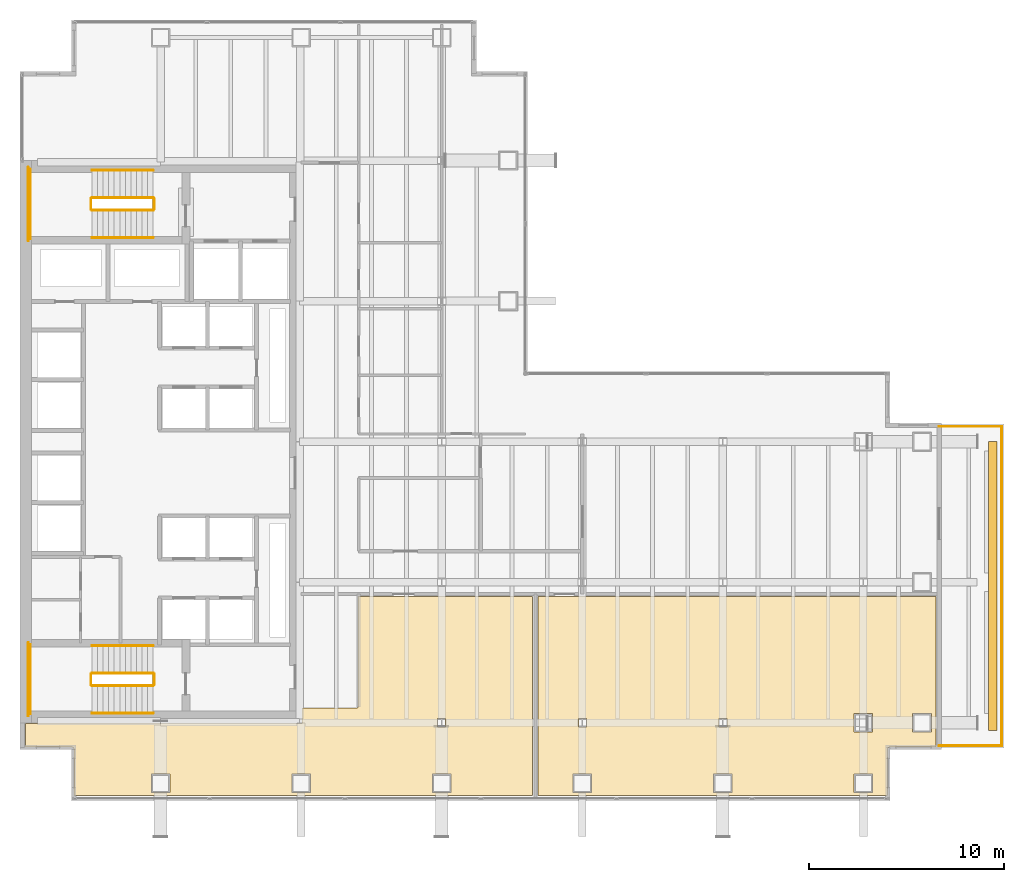
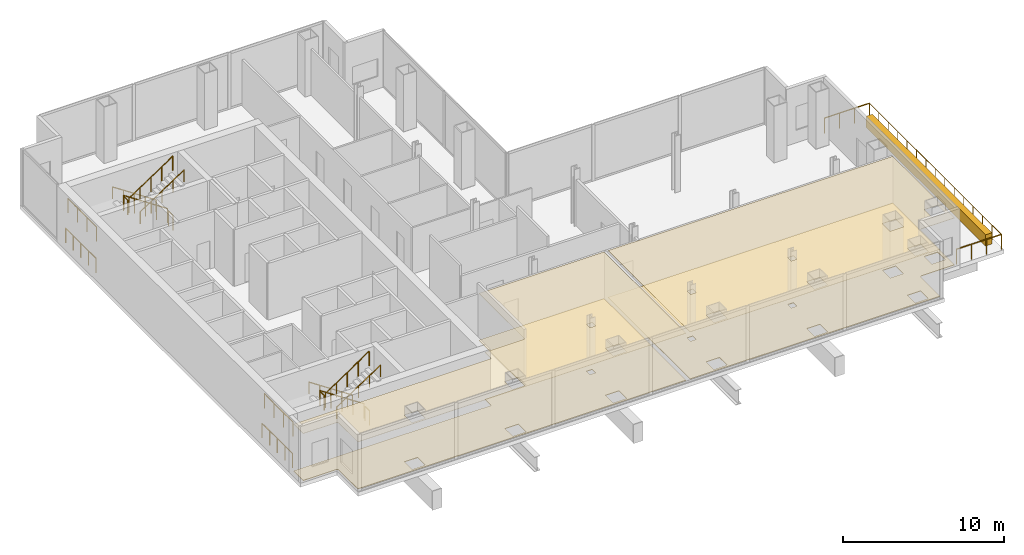
# One storey, part 16 of 16: 19 railings, 5 coverings.
"""IFC4 building model written with IfcOpenShell, lengths in metres."""

from ifc_helpers import new_model, si_unit, direction, frame, origin, origin_2d, place, context, subcontext, project, spatial, polyline, circle, outline, extrude, material, layer, layer_set, type_object, element, save


model = new_model("IFC4")

# Units and contexts
model_context = context("Model", 3, precision=1e-05, world=origin(), true_north=direction((0.0, 1.0)))
body_context = subcontext(model_context, "Body", "Model", "MODEL_VIEW")
ifc_project = project(units=[si_unit("LENGTHUNIT", "METRE"), si_unit("AREAUNIT", "SQUARE_METRE"), si_unit("VOLUMEUNIT", "CUBIC_METRE"), si_unit("PLANEANGLEUNIT", "RADIAN"), si_unit("MASSUNIT", "GRAM", prefix="KILO")], contexts=[model_context])

# Site, building, storey
site_placement = place(None, origin())
site = spatial("IfcSite", under=ifc_project, at=site_placement, CompositionType="ELEMENT")
building_placement = place(site_placement, origin())
building = spatial("IfcBuilding", under=site, at=building_placement, Name="Cobrela Telecom Tower", CompositionType="ELEMENT")
storey_placement = place(building_placement, frame((0.0, 0.0, 97.64990234375)))
storey = spatial("IfcBuildingStorey", under=building, at=storey_placement, Name="L24", CompositionType="ELEMENT", Elevation=97.64990234375)

# Coverings
ifc_material_1 = material(Name="Mineral Fibre Acoustic Ceiling Tile")
ifc_layer_1 = layer(ifc_material_1, 0.02490234375)
ifc_layer_set_1 = layer_set([ifc_layer_1], Name="Mineral Fibre Acoustic Ceiling Tile")
covering_type_1 = type_object("IfcCoveringType", Name="COV-CEIL-ACT", PredefinedType="CEILING", material=ifc_layer_set_1)
covering_1_placement = place(storey_placement, frame((0.0, 0.0, 3.56005859375)))
element("IfcCovering", 1, at=covering_1_placement, inside=storey, type_object=covering_type_1, Name="L24 Client Hospitality Office Suspended Acoustic Ceiling", PredefinedType="CEILING", context=body_context, shape_type="SweptSolid", body=[
    extrude(outline(polyline([(46.909912109375, 5.969970703125), (44.569091796875, 5.969970703125), (44.556396484375, 5.969482421875), (44.542724609375, 5.96728515625), (44.529296875, 5.964111328125), (44.516357421875, 5.95947265625), (44.50390625, 5.95361328125), (44.4921875, 5.9462890625), (44.481201171875, 5.938232421875), (44.470947265625, 5.928955078125), (44.461669921875, 5.918701171875), (44.45361328125, 5.907958984375), (44.446533203125, 5.89599609375), (44.440673828125, 5.883544921875), (44.43603515625, 5.87060546875), (44.4326171875, 5.857421875), (44.4306640625, 5.84375), (44.429931640625, 5.8310546875), (44.429931640625, 3.489990234375), (26.5400390625, 3.489990234375), (26.5400390625, 13.659912109375), (46.909912109375, 13.659912109375), (46.909912109375, 5.969970703125)]), holes=[polyline([(29.00439453125, 6.988037109375), (29.00439453125, 7.412109375), (28.595458984375, 7.412109375), (28.595458984375, 6.988037109375), (29.00439453125, 6.988037109375)]), polyline([(29.27490234375, 4.574951171875), (28.324951171875, 4.574951171875), (28.324951171875, 3.625), (29.27490234375, 3.625), (29.27490234375, 4.574951171875)]), polyline([(36.47509765625, 3.625), (36.47509765625, 4.574951171875), (35.52490234375, 4.574951171875), (35.52490234375, 3.625), (36.47509765625, 3.625)]), polyline([(43.675048828125, 3.625), (43.675048828125, 4.574951171875), (42.72509765625, 4.574951171875), (42.72509765625, 3.625), (43.675048828125, 3.625)]), polyline([(36.20458984375, 6.988037109375), (36.20458984375, 7.412109375), (35.79541015625, 7.412109375), (35.79541015625, 6.988037109375), (36.20458984375, 6.988037109375)]), polyline([(43.675048828125, 6.72509765625), (43.675048828125, 7.675048828125), (42.72509765625, 7.675048828125), (42.72509765625, 6.72509765625), (43.675048828125, 6.72509765625)]), polyline([(46.675048828125, 6.72509765625), (46.675048828125, 7.675048828125), (45.72509765625, 7.675048828125), (45.72509765625, 6.72509765625), (46.675048828125, 6.72509765625)])]), origin(), (0.0, 0.0, 1.0), 0.025146484375),
])
covering_2_placement = place(storey_placement, frame((0.0, 0.0, 3.56005859375)))
element("IfcCovering", 2, at=covering_2_placement, inside=storey, type_object=covering_type_1, Name="L24 NOC Briefing Room Suspended Acoustic Ceiling", PredefinedType="CEILING", context=body_context, shape_type="SweptSolid", body=[
    extrude(outline(polyline([(2.77001953125, 5.8310546875), (2.769287109375, 5.84375), (2.767333984375, 5.857421875), (2.763916015625, 5.87060546875), (2.759521484375, 5.883544921875), (2.75341796875, 5.89599609375), (2.746337890625, 5.907958984375), (2.73828125, 5.918701171875), (2.72900390625, 5.928955078125), (2.71875, 5.938232421875), (2.7080078125, 5.9462890625), (2.696044921875, 5.95361328125), (2.68359375, 5.95947265625), (2.670654296875, 5.964111328125), (2.6572265625, 5.96728515625), (2.643798828125, 5.969482421875), (2.631103515625, 5.969970703125), (0.2900390625, 5.969970703125), (0.2900390625, 7.159912109375), (14.43994140625, 7.159912109375), (14.43994140625, 7.950927734375), (14.445068359375, 7.949951171875), (17.2548828125, 7.949951171875), (17.26025390625, 7.951171875), (17.265380859375, 7.9521484375), (17.27001953125, 7.9541015625), (17.272705078125, 7.955322265625), (17.278564453125, 7.958740234375), (17.28125, 7.961181640625), (17.28564453125, 7.96435546875), (17.288818359375, 7.96875), (17.291259765625, 7.971435546875), (17.294677734375, 7.977294921875), (17.2978515625, 7.984619140625), (17.298828125, 7.98974609375), (17.300048828125, 7.9951171875), (17.300048828125, 13.659912109375), (26.260009765625, 13.659912109375), (26.260009765625, 3.489990234375), (2.77001953125, 3.489990234375), (2.77001953125, 5.8310546875)]), holes=[polyline([(7.675048828125, 4.574951171875), (6.72509765625, 4.574951171875), (6.72509765625, 3.625), (7.675048828125, 3.625), (7.675048828125, 4.574951171875)]), polyline([(14.875, 3.625), (14.875, 4.574951171875), (13.925048828125, 4.574951171875), (13.925048828125, 3.625), (14.875, 3.625)]), polyline([(22.074951171875, 3.625), (22.074951171875, 4.574951171875), (21.125, 4.574951171875), (21.125, 3.625), (22.074951171875, 3.625)]), polyline([(21.804443359375, 6.988037109375), (21.804443359375, 7.412109375), (21.3955078125, 7.412109375), (21.3955078125, 6.988037109375), (21.804443359375, 6.988037109375)])]), origin(), (0.0, 0.0, 1.0), 0.025146484375),
])
ifc_material_2 = material(Name="Honed Colombian Basalt Stone", Category="masonry")
ifc_layer_2 = layer(ifc_material_2, 0.0400390625)
ifc_layer_set_2 = layer_set([ifc_layer_2], Name="Honed Colombian Basalt Stone")
covering_type_2 = type_object("IfcCoveringType", Name="COV-FLR-STONE", PredefinedType="FLOORING", material=ifc_layer_set_2)
covering_3_placement = place(storey_placement, origin())
element("IfcCovering", 3, at=covering_3_placement, inside=storey, type_object=covering_type_2, Name="L24 Client Hospitality Office Raised Technical Flooring", PredefinedType="FLOORING", context=body_context, shape_type="SweptSolid", body=[
    extrude(outline(polyline([(46.909912109375, 5.969970703125), (44.569091796875, 5.969970703125), (44.556396484375, 5.969482421875), (44.542724609375, 5.96728515625), (44.529296875, 5.964111328125), (44.516357421875, 5.95947265625), (44.50390625, 5.95361328125), (44.4921875, 5.9462890625), (44.481201171875, 5.938232421875), (44.470947265625, 5.928955078125), (44.461669921875, 5.918701171875), (44.45361328125, 5.907958984375), (44.446533203125, 5.89599609375), (44.440673828125, 5.883544921875), (44.43603515625, 5.87060546875), (44.4326171875, 5.857421875), (44.4306640625, 5.84375), (44.429931640625, 5.8310546875), (44.429931640625, 3.489990234375), (26.5400390625, 3.489990234375), (26.5400390625, 13.659912109375), (46.909912109375, 13.659912109375), (46.909912109375, 5.969970703125)]), holes=[polyline([(29.00439453125, 6.988037109375), (29.00439453125, 7.412109375), (28.595458984375, 7.412109375), (28.595458984375, 6.988037109375), (29.00439453125, 6.988037109375)]), polyline([(29.27490234375, 4.574951171875), (28.324951171875, 4.574951171875), (28.324951171875, 3.625), (29.27490234375, 3.625), (29.27490234375, 4.574951171875)]), polyline([(36.47509765625, 3.625), (36.47509765625, 4.574951171875), (35.52490234375, 4.574951171875), (35.52490234375, 3.625), (36.47509765625, 3.625)]), polyline([(43.675048828125, 3.625), (43.675048828125, 4.574951171875), (42.72509765625, 4.574951171875), (42.72509765625, 3.625), (43.675048828125, 3.625)]), polyline([(36.20458984375, 6.988037109375), (36.20458984375, 7.412109375), (35.79541015625, 7.412109375), (35.79541015625, 6.988037109375), (36.20458984375, 6.988037109375)]), polyline([(43.675048828125, 6.72509765625), (43.675048828125, 7.675048828125), (42.72509765625, 7.675048828125), (42.72509765625, 6.72509765625), (43.675048828125, 6.72509765625)]), polyline([(46.675048828125, 6.72509765625), (46.675048828125, 7.675048828125), (45.72509765625, 7.675048828125), (45.72509765625, 6.72509765625), (46.675048828125, 6.72509765625)])]), origin(), (0.0, 0.0, 1.0), 0.0400390625),
])
covering_4_placement = place(storey_placement, origin())
element("IfcCovering", 4, at=covering_4_placement, inside=storey, type_object=covering_type_2, Name="L24 NOC Briefing Room Raised Technical Flooring", PredefinedType="FLOORING", context=body_context, shape_type="SweptSolid", body=[
    extrude(outline(polyline([(2.77001953125, 5.8310546875), (2.769287109375, 5.84375), (2.767333984375, 5.857421875), (2.763916015625, 5.87060546875), (2.759521484375, 5.883544921875), (2.75341796875, 5.89599609375), (2.746337890625, 5.907958984375), (2.73828125, 5.918701171875), (2.72900390625, 5.928955078125), (2.71875, 5.938232421875), (2.7080078125, 5.9462890625), (2.696044921875, 5.95361328125), (2.68359375, 5.95947265625), (2.670654296875, 5.964111328125), (2.6572265625, 5.96728515625), (2.643798828125, 5.969482421875), (2.631103515625, 5.969970703125), (0.2900390625, 5.969970703125), (0.2900390625, 7.159912109375), (14.43994140625, 7.159912109375), (14.43994140625, 7.950927734375), (14.445068359375, 7.949951171875), (17.2548828125, 7.949951171875), (17.26025390625, 7.951171875), (17.265380859375, 7.9521484375), (17.27001953125, 7.9541015625), (17.272705078125, 7.955322265625), (17.278564453125, 7.958740234375), (17.28125, 7.961181640625), (17.28564453125, 7.96435546875), (17.288818359375, 7.96875), (17.291259765625, 7.971435546875), (17.294677734375, 7.977294921875), (17.2978515625, 7.984619140625), (17.298828125, 7.98974609375), (17.300048828125, 7.9951171875), (17.300048828125, 13.659912109375), (26.260009765625, 13.659912109375), (26.260009765625, 3.489990234375), (2.77001953125, 3.489990234375), (2.77001953125, 5.8310546875)]), holes=[polyline([(7.675048828125, 4.574951171875), (6.72509765625, 4.574951171875), (6.72509765625, 3.625), (7.675048828125, 3.625), (7.675048828125, 4.574951171875)]), polyline([(14.875, 3.625), (14.875, 4.574951171875), (13.925048828125, 4.574951171875), (13.925048828125, 3.625), (14.875, 3.625)]), polyline([(22.074951171875, 3.625), (22.074951171875, 4.574951171875), (21.125, 4.574951171875), (21.125, 3.625), (22.074951171875, 3.625)]), polyline([(21.804443359375, 6.988037109375), (21.804443359375, 7.412109375), (21.3955078125, 7.412109375), (21.3955078125, 6.988037109375), (21.804443359375, 6.988037109375)])]), origin(), (0.0, 0.0, 1.0), 0.0400390625),
])
ifc_material_3 = material(Name="Planted Vegetated Landscape Soil and Foliage System")
ifc_layer_3 = layer(ifc_material_3, 0.85009765625)
ifc_layer_set_3 = layer_set([ifc_layer_3], Name="Planted Vegetated Landscape Soil and Foliage System")
covering_type_3 = type_object("IfcCoveringType", Name="PLANTER-BED-850", PredefinedType="USERDEFINED", material=ifc_layer_set_3)
covering_5_placement = place(storey_placement, origin())
element("IfcCovering", 5, at=covering_5_placement, inside=storey, type_object=covering_type_3, Name="L24 Sky Garden Planted Parapet Bed SG24-E", ObjectType="PLANTER", PredefinedType="USERDEFINED", context=body_context, shape_type="SweptSolid", body=[
    extrude(outline(polyline([(49.60009765625, 6.800048828125), (50.050048828125, 6.800048828125), (50.050048828125, 21.60009765625), (49.60009765625, 21.60009765625), (49.60009765625, 6.800048828125)])), origin(), (0.0, 0.0, 1.0), 0.85009765625),
])

# Railings
ifc_material_4 = material(Name="Anodized Bronze Aluminium 6063-T6", Category="aluminium")
railing_type_1 = type_object("IfcRailingType", Name="RAIL-BAL-1150", PredefinedType="BALUSTRADE", material=ifc_material_4)
railing_1_placement = place(storey_placement, frame((47.080078125, 6.02001953125, 0.0)))
element("IfcRailing", 6, at=railing_1_placement, inside=storey, type_object=railing_type_1, Name="L24 Outdoor Terrace Perimeter Balustrade Z2-S", PredefinedType="BALUSTRADE", context=body_context, shape_type="SweptSolid", body=[
    extrude(circle(Radius=0.02392578125, at=origin_2d()), frame((0.0, 0.0, 1.1259765625), z_axis=(1.0, 0.0, 0.0), x_axis=(0.0, 1.0, 0.0)), (0.0, 0.0, 1.0), 3.199951171875),
    extrude(circle(Radius=0.02099609375, at=origin_2d()), origin(), (0.0, 0.0, 1.0), 1.101806640625),
    extrude(circle(Radius=0.02099609375, at=origin_2d()), frame((1.066650390625, 0.0, 0.0)), (0.0, 0.0, 1.0), 1.101806640625),
    extrude(circle(Radius=0.02099609375, at=origin_2d()), frame((2.13330078125, 0.0, 0.0)), (0.0, 0.0, 1.0), 1.101806640625),
    extrude(circle(Radius=0.02099609375, at=origin_2d()), frame((3.199951171875, 0.0, 0.0)), (0.0, 0.0, 1.0), 1.101806640625),
])
railing_2_placement = place(storey_placement, frame((50.280029296875, 6.02001953125, 0.0)))
element("IfcRailing", 7, at=railing_2_placement, inside=storey, type_object=railing_type_1, Name="L24 Outdoor Terrace Perimeter Balustrade Z2-E", PredefinedType="BALUSTRADE", context=body_context, shape_type="SweptSolid", body=[
    extrude(circle(Radius=0.02392578125, at=origin_2d()), frame((0.0, 0.0, 1.1259765625), z_axis=(0.0, 1.0, 0.0), x_axis=(-1.0, 0.0, 0.0)), (0.0, 0.0, 1.0), 16.35986328125),
    extrude(circle(Radius=0.02099609375, at=origin_2d()), origin(), (0.0, 0.0, 1.0), 1.101806640625),
    extrude(circle(Radius=0.02099609375, at=origin_2d()), frame((0.0, 1.16845703125, 0.0)), (0.0, 0.0, 1.0), 1.101806640625),
    extrude(circle(Radius=0.02099609375, at=origin_2d()), frame((0.0, 2.337158203125, 0.0)), (0.0, 0.0, 1.0), 1.101806640625),
    extrude(circle(Radius=0.02099609375, at=origin_2d()), frame((0.0, 3.505615234375, 0.0)), (0.0, 0.0, 1.0), 1.101806640625),
    extrude(circle(Radius=0.02099609375, at=origin_2d()), frame((0.0, 4.67431640625, 0.0)), (0.0, 0.0, 1.0), 1.101806640625),
    extrude(circle(Radius=0.02099609375, at=origin_2d()), frame((0.0, 5.8427734375, 0.0)), (0.0, 0.0, 1.0), 1.101806640625),
    extrude(circle(Radius=0.02099609375, at=origin_2d()), frame((0.0, 7.011474609375, 0.0)), (0.0, 0.0, 1.0), 1.101806640625),
    extrude(circle(Radius=0.02099609375, at=origin_2d()), frame((0.0, 8.179931640625, 0.0)), (0.0, 0.0, 1.0), 1.101806640625),
    extrude(circle(Radius=0.02099609375, at=origin_2d()), frame((0.0, 9.348388671875, 0.0)), (0.0, 0.0, 1.0), 1.101806640625),
    extrude(circle(Radius=0.02099609375, at=origin_2d()), frame((0.0, 10.51708984375, 0.0)), (0.0, 0.0, 1.0), 1.101806640625),
    extrude(circle(Radius=0.02099609375, at=origin_2d()), frame((0.0, 11.685546875, 0.0)), (0.0, 0.0, 1.0), 1.101806640625),
    extrude(circle(Radius=0.02099609375, at=origin_2d()), frame((0.0, 12.854248046875, 0.0)), (0.0, 0.0, 1.0), 1.101806640625),
    extrude(circle(Radius=0.02099609375, at=origin_2d()), frame((0.0, 14.022705078125, 0.0)), (0.0, 0.0, 1.0), 1.101806640625),
    extrude(circle(Radius=0.02099609375, at=origin_2d()), frame((0.0, 15.19140625, 0.0)), (0.0, 0.0, 1.0), 1.101806640625),
    extrude(circle(Radius=0.02099609375, at=origin_2d()), frame((0.0, 16.35986328125, 0.0)), (0.0, 0.0, 1.0), 1.101806640625),
])
railing_3_placement = place(storey_placement, frame((50.280029296875, 22.3798828125, 0.0)))
element("IfcRailing", 8, at=railing_3_placement, inside=storey, type_object=railing_type_1, Name="L24 Outdoor Terrace Perimeter Balustrade Z2-N", PredefinedType="BALUSTRADE", context=body_context, shape_type="SweptSolid", body=[
    extrude(circle(Radius=0.02392578125, at=origin_2d()), frame((0.0, 0.0, 1.1259765625), z_axis=(-1.0, 0.0, 0.0), x_axis=(0.0, -1.0, 0.0)), (0.0, 0.0, 1.0), 3.199951171875),
    extrude(circle(Radius=0.02099609375, at=origin_2d()), origin(), (0.0, 0.0, 1.0), 1.101806640625),
    extrude(circle(Radius=0.02099609375, at=origin_2d()), frame((-1.066650390625, 0.0, 0.0)), (0.0, 0.0, 1.0), 1.101806640625),
    extrude(circle(Radius=0.02099609375, at=origin_2d()), frame((-2.13330078125, 0.0, 0.0)), (0.0, 0.0, 1.0), 1.101806640625),
    extrude(circle(Radius=0.02099609375, at=origin_2d()), frame((-3.199951171875, 0.0, 0.0)), (0.0, 0.0, 1.0), 1.101806640625),
])
ifc_material_5 = material(Name="Steel ASTM A36", Category="steel")
railing_type_2 = type_object("IfcRailingType", Name="RAIL-GUARD-1100", PredefinedType="GUARDRAIL", material=ifc_material_5)
railing_4_placement = place(storey_placement, frame((6.820068359375, 34.10009765625, 0.189697265625)))
element("IfcRailing", 9, at=railing_4_placement, inside=storey, type_object=railing_type_2, Name="L24 ST1 stair guard 1", PredefinedType="GUARDRAIL", context=body_context, shape_type="SweptSolid", body=[
    extrude(circle(Radius=0.02392578125, at=origin_2d()), frame((0.0, 0.0, 1.076171875), z_axis=(-0.832608492644, 0.0, 0.553861984593), x_axis=(0.0, -1.0, 0.0)), (0.0, 0.0, 1.0), 3.765380859375),
    extrude(circle(Radius=0.02099609375, at=origin_2d()), origin(), (0.0, 0.0, 1.0), 1.052001953125),
    extrude(circle(Radius=0.02099609375, at=origin_2d()), frame((-0.78369140625, 0.0, 0.521484375)), (0.0, 0.0, 1.0), 1.052001953125),
    extrude(circle(Radius=0.02099609375, at=origin_2d()), frame((-1.5673828125, 0.0, 1.042724609375)), (0.0, 0.0, 1.0), 1.052001953125),
    extrude(circle(Radius=0.02099609375, at=origin_2d()), frame((-2.351318359375, 0.0, 1.56396484375)), (0.0, 0.0, 1.0), 1.052001953125),
    extrude(circle(Radius=0.02099609375, at=origin_2d()), frame((-3.135009765625, 0.0, 2.08544921875)), (0.0, 0.0, 1.0), 1.052001953125),
])
railing_5_placement = place(storey_placement, frame((3.635009765625, 34.050048828125, 2.275146484375)))
element("IfcRailing", 10, at=railing_5_placement, inside=storey, type_object=railing_type_2, Name="L24 ST1 stair guard 2", PredefinedType="GUARDRAIL", context=body_context, shape_type="SweptSolid", body=[
    extrude(circle(Radius=0.02392578125, at=origin_2d()), frame((0.0, 0.0, 1.076171875), z_axis=(0.0, -1.0, 0.0), x_axis=(1.0, 0.0, 0.0)), (0.0, 0.0, 1.0), 0.550048828125),
    extrude(circle(Radius=0.02099609375, at=origin_2d()), origin(), (0.0, 0.0, 1.0), 1.052001953125),
    extrude(circle(Radius=0.02099609375, at=origin_2d()), frame((0.0, -0.550048828125, 0.0)), (0.0, 0.0, 1.0), 1.052001953125),
])
railing_6_placement = place(storey_placement, frame((0.530029296875, 35.550048828125, 2.275146484375)))
element("IfcRailing", 11, at=railing_6_placement, inside=storey, type_object=railing_type_2, Name="L24 ST1 stair guard 3", PredefinedType="GUARDRAIL", context=body_context, shape_type="SweptSolid", body=[
    extrude(circle(Radius=0.02392578125, at=origin_2d()), frame((0.0, 0.0, 1.076171875), z_axis=(0.0, -1.0, 0.0), x_axis=(1.0, 0.0, 0.0)), (0.0, 0.0, 1.0), 3.550048828125),
    extrude(circle(Radius=0.02099609375, at=origin_2d()), origin(), (0.0, 0.0, 1.0), 1.052001953125),
    extrude(circle(Radius=0.02099609375, at=origin_2d()), frame((0.0, -1.183349609375, 0.0)), (0.0, 0.0, 1.0), 1.052001953125),
    extrude(circle(Radius=0.02099609375, at=origin_2d()), frame((0.0, -2.36669921875, 0.0)), (0.0, 0.0, 1.0), 1.052001953125),
    extrude(circle(Radius=0.02099609375, at=origin_2d()), frame((0.0, -3.550048828125, 0.0)), (0.0, 0.0, 1.0), 1.052001953125),
])
railing_7_placement = place(storey_placement, frame((3.68505859375, 33.449951171875, 2.464599609375)))
element("IfcRailing", 12, at=railing_7_placement, inside=storey, type_object=railing_type_2, Name="L24 ST1 stair guard 4", PredefinedType="GUARDRAIL", context=body_context, shape_type="SweptSolid", body=[
    extrude(circle(Radius=0.02392578125, at=origin_2d()), frame((0.0, 0.0, 1.076171875), z_axis=(0.832608492644, 0.0, 0.553861984593), x_axis=(0.0, 1.0, 0.0)), (0.0, 0.0, 1.0), 3.765380859375),
    extrude(circle(Radius=0.02099609375, at=origin_2d()), origin(), (0.0, 0.0, 1.0), 1.052001953125),
    extrude(circle(Radius=0.02099609375, at=origin_2d()), frame((0.78369140625, 0.0, 0.521484375)), (0.0, 0.0, 1.0), 1.052001953125),
    extrude(circle(Radius=0.02099609375, at=origin_2d()), frame((1.5673828125, 0.0, 1.042724609375)), (0.0, 0.0, 1.0), 1.052001953125),
    extrude(circle(Radius=0.02099609375, at=origin_2d()), frame((2.351318359375, 0.0, 1.56396484375)), (0.0, 0.0, 1.0), 1.052001953125),
    extrude(circle(Radius=0.02099609375, at=origin_2d()), frame((3.135009765625, 0.0, 2.08544921875)), (0.0, 0.0, 1.0), 1.052001953125),
])
railing_8_placement = place(storey_placement, frame((6.8701171875, 34.050048828125, 0.0)))
element("IfcRailing", 13, at=railing_8_placement, inside=storey, type_object=railing_type_2, Name="L24 ST1 stair guard 5", PredefinedType="GUARDRAIL", context=body_context, shape_type="SweptSolid", body=[
    extrude(circle(Radius=0.02392578125, at=origin_2d()), frame((0.0, 0.0, 1.076171875), z_axis=(0.0, -1.0, 0.0), x_axis=(1.0, 0.0, 0.0)), (0.0, 0.0, 1.0), 0.550048828125),
    extrude(circle(Radius=0.02099609375, at=origin_2d()), origin(), (0.0, 0.0, 1.0), 1.052001953125),
    extrude(circle(Radius=0.02099609375, at=origin_2d()), frame((0.0, -0.550048828125, 0.0)), (0.0, 0.0, 1.0), 1.052001953125),
])
railing_9_placement = place(storey_placement, frame((0.429931640625, 35.64990234375, 0.0)))
element("IfcRailing", 14, at=railing_9_placement, inside=storey, type_object=railing_type_2, Name="L24 ST1 stair guard 6", PredefinedType="GUARDRAIL", context=body_context, shape_type="SweptSolid", body=[
    extrude(circle(Radius=0.02392578125, at=origin_2d()), frame((0.0, 0.0, 1.076171875), z_axis=(0.0, -1.0, 0.0), x_axis=(1.0, 0.0, 0.0)), (0.0, 0.0, 1.0), 3.75),
    extrude(circle(Radius=0.02099609375, at=origin_2d()), origin(), (0.0, 0.0, 1.0), 1.052001953125),
    extrude(circle(Radius=0.02099609375, at=origin_2d()), frame((0.0, -0.9375, 0.0)), (0.0, 0.0, 1.0), 1.052001953125),
    extrude(circle(Radius=0.02099609375, at=origin_2d()), frame((0.0, -1.875, 0.0)), (0.0, 0.0, 1.0), 1.052001953125),
    extrude(circle(Radius=0.02099609375, at=origin_2d()), frame((0.0, -2.8125, 0.0)), (0.0, 0.0, 1.0), 1.052001953125),
    extrude(circle(Radius=0.02099609375, at=origin_2d()), frame((0.0, -3.75, 0.0)), (0.0, 0.0, 1.0), 1.052001953125),
])
railing_10_placement = place(storey_placement, frame((6.820068359375, 9.75, 0.189697265625)))
element("IfcRailing", 15, at=railing_10_placement, inside=storey, type_object=railing_type_2, Name="L24 ST2 stair guard 1", PredefinedType="GUARDRAIL", context=body_context, shape_type="SweptSolid", body=[
    extrude(circle(Radius=0.02392578125, at=origin_2d()), frame((0.0, 0.0, 1.076171875), z_axis=(-0.832608492644, 0.0, 0.553861984593), x_axis=(0.0, -1.0, 0.0)), (0.0, 0.0, 1.0), 3.765380859375),
    extrude(circle(Radius=0.02099609375, at=origin_2d()), origin(), (0.0, 0.0, 1.0), 1.052001953125),
    extrude(circle(Radius=0.02099609375, at=origin_2d()), frame((-0.78369140625, 0.0, 0.521484375)), (0.0, 0.0, 1.0), 1.052001953125),
    extrude(circle(Radius=0.02099609375, at=origin_2d()), frame((-1.5673828125, 0.0, 1.042724609375)), (0.0, 0.0, 1.0), 1.052001953125),
    extrude(circle(Radius=0.02099609375, at=origin_2d()), frame((-2.351318359375, 0.0, 1.56396484375)), (0.0, 0.0, 1.0), 1.052001953125),
    extrude(circle(Radius=0.02099609375, at=origin_2d()), frame((-3.135009765625, 0.0, 2.08544921875)), (0.0, 0.0, 1.0), 1.052001953125),
])
railing_11_placement = place(storey_placement, frame((3.635009765625, 9.699951171875, 2.275146484375)))
element("IfcRailing", 16, at=railing_11_placement, inside=storey, type_object=railing_type_2, Name="L24 ST2 stair guard 2", PredefinedType="GUARDRAIL", context=body_context, shape_type="SweptSolid", body=[
    extrude(circle(Radius=0.02392578125, at=origin_2d()), frame((0.0, 0.0, 1.076171875), z_axis=(0.0, -1.0, 0.0), x_axis=(1.0, 0.0, 0.0)), (0.0, 0.0, 1.0), 0.550048828125),
    extrude(circle(Radius=0.02099609375, at=origin_2d()), origin(), (0.0, 0.0, 1.0), 1.052001953125),
    extrude(circle(Radius=0.02099609375, at=origin_2d()), frame((0.0, -0.550048828125, 0.0)), (0.0, 0.0, 1.0), 1.052001953125),
])
railing_12_placement = place(storey_placement, frame((0.530029296875, 11.199951171875, 2.275146484375)))
element("IfcRailing", 17, at=railing_12_placement, inside=storey, type_object=railing_type_2, Name="L24 ST2 stair guard 3", PredefinedType="GUARDRAIL", context=body_context, shape_type="SweptSolid", body=[
    extrude(circle(Radius=0.02392578125, at=origin_2d()), frame((0.0, 0.0, 1.076171875), z_axis=(0.0, -1.0, 0.0), x_axis=(1.0, 0.0, 0.0)), (0.0, 0.0, 1.0), 3.550048828125),
    extrude(circle(Radius=0.02099609375, at=origin_2d()), origin(), (0.0, 0.0, 1.0), 1.052001953125),
    extrude(circle(Radius=0.02099609375, at=origin_2d()), frame((0.0, -1.183349609375, 0.0)), (0.0, 0.0, 1.0), 1.052001953125),
    extrude(circle(Radius=0.02099609375, at=origin_2d()), frame((0.0, -2.36669921875, 0.0)), (0.0, 0.0, 1.0), 1.052001953125),
    extrude(circle(Radius=0.02099609375, at=origin_2d()), frame((0.0, -3.550048828125, 0.0)), (0.0, 0.0, 1.0), 1.052001953125),
])
railing_13_placement = place(storey_placement, frame((3.68505859375, 9.10009765625, 2.464599609375)))
element("IfcRailing", 18, at=railing_13_placement, inside=storey, type_object=railing_type_2, Name="L24 ST2 stair guard 4", PredefinedType="GUARDRAIL", context=body_context, shape_type="SweptSolid", body=[
    extrude(circle(Radius=0.02392578125, at=origin_2d()), frame((0.0, 0.0, 1.076171875), z_axis=(0.832608492644, 0.0, 0.553861984593), x_axis=(0.0, 1.0, 0.0)), (0.0, 0.0, 1.0), 3.765380859375),
    extrude(circle(Radius=0.02099609375, at=origin_2d()), origin(), (0.0, 0.0, 1.0), 1.052001953125),
    extrude(circle(Radius=0.02099609375, at=origin_2d()), frame((0.78369140625, 0.0, 0.521484375)), (0.0, 0.0, 1.0), 1.052001953125),
    extrude(circle(Radius=0.02099609375, at=origin_2d()), frame((1.5673828125, 0.0, 1.042724609375)), (0.0, 0.0, 1.0), 1.052001953125),
    extrude(circle(Radius=0.02099609375, at=origin_2d()), frame((2.351318359375, 0.0, 1.56396484375)), (0.0, 0.0, 1.0), 1.052001953125),
    extrude(circle(Radius=0.02099609375, at=origin_2d()), frame((3.135009765625, 0.0, 2.08544921875)), (0.0, 0.0, 1.0), 1.052001953125),
])
railing_14_placement = place(storey_placement, frame((6.8701171875, 9.699951171875, 0.0)))
element("IfcRailing", 19, at=railing_14_placement, inside=storey, type_object=railing_type_2, Name="L24 ST2 stair guard 5", PredefinedType="GUARDRAIL", context=body_context, shape_type="SweptSolid", body=[
    extrude(circle(Radius=0.02392578125, at=origin_2d()), frame((0.0, 0.0, 1.076171875), z_axis=(0.0, -1.0, 0.0), x_axis=(1.0, 0.0, 0.0)), (0.0, 0.0, 1.0), 0.550048828125),
    extrude(circle(Radius=0.02099609375, at=origin_2d()), origin(), (0.0, 0.0, 1.0), 1.052001953125),
    extrude(circle(Radius=0.02099609375, at=origin_2d()), frame((0.0, -0.550048828125, 0.0)), (0.0, 0.0, 1.0), 1.052001953125),
])
railing_15_placement = place(storey_placement, frame((0.429931640625, 11.300048828125, 0.0)))
element("IfcRailing", 20, at=railing_15_placement, inside=storey, type_object=railing_type_2, Name="L24 ST2 stair guard 6", PredefinedType="GUARDRAIL", context=body_context, shape_type="SweptSolid", body=[
    extrude(circle(Radius=0.02392578125, at=origin_2d()), frame((0.0, 0.0, 1.076171875), z_axis=(0.0, -1.0, 0.0), x_axis=(1.0, 0.0, 0.0)), (0.0, 0.0, 1.0), 3.75),
    extrude(circle(Radius=0.02099609375, at=origin_2d()), origin(), (0.0, 0.0, 1.0), 1.052001953125),
    extrude(circle(Radius=0.02099609375, at=origin_2d()), frame((0.0, -0.9375, 0.0)), (0.0, 0.0, 1.0), 1.052001953125),
    extrude(circle(Radius=0.02099609375, at=origin_2d()), frame((0.0, -1.875, 0.0)), (0.0, 0.0, 1.0), 1.052001953125),
    extrude(circle(Radius=0.02099609375, at=origin_2d()), frame((0.0, -2.8125, 0.0)), (0.0, 0.0, 1.0), 1.052001953125),
    extrude(circle(Radius=0.02099609375, at=origin_2d()), frame((0.0, -3.75, 0.0)), (0.0, 0.0, 1.0), 1.052001953125),
])
railing_type_3 = type_object("IfcRailingType", Name="RAIL-HAND-920", PredefinedType="HANDRAIL", material=ifc_material_5)
railing_16_placement = place(storey_placement, frame((6.820068359375, 35.5, 0.189697265625)))
element("IfcRailing", 21, at=railing_16_placement, inside=storey, type_object=railing_type_3, Name="L24 ST1 stair handrail 1", PredefinedType="HANDRAIL", context=body_context, shape_type="SweptSolid", body=[
    extrude(circle(Radius=0.02392578125, at=origin_2d()), frame((0.0, 0.0, 0.8759765625), z_axis=(-0.832608492644, 0.0, 0.553861984593), x_axis=(0.0, -1.0, 0.0)), (0.0, 0.0, 1.0), 3.765380859375),
    extrude(circle(Radius=0.02099609375, at=origin_2d()), origin(), (0.0, 0.0, 1.0), 0.851806640625),
    extrude(circle(Radius=0.02099609375, at=origin_2d()), frame((-0.78369140625, 0.0, 0.521484375)), (0.0, 0.0, 1.0), 0.851806640625),
    extrude(circle(Radius=0.02099609375, at=origin_2d()), frame((-1.5673828125, 0.0, 1.042724609375)), (0.0, 0.0, 1.0), 0.851806640625),
    extrude(circle(Radius=0.02099609375, at=origin_2d()), frame((-2.351318359375, 0.0, 1.56396484375)), (0.0, 0.0, 1.0), 0.851806640625),
    extrude(circle(Radius=0.02099609375, at=origin_2d()), frame((-3.135009765625, 0.0, 2.08544921875)), (0.0, 0.0, 1.0), 0.851806640625),
])
railing_17_placement = place(storey_placement, frame((3.68505859375, 32.050048828125, 2.464599609375)))
element("IfcRailing", 22, at=railing_17_placement, inside=storey, type_object=railing_type_3, Name="L24 ST1 stair handrail 2", PredefinedType="HANDRAIL", context=body_context, shape_type="SweptSolid", body=[
    extrude(circle(Radius=0.02392578125, at=origin_2d()), frame((0.0, 0.0, 0.8759765625), z_axis=(0.832608492644, 0.0, 0.553861984593), x_axis=(0.0, 1.0, 0.0)), (0.0, 0.0, 1.0), 3.765380859375),
    extrude(circle(Radius=0.02099609375, at=origin_2d()), origin(), (0.0, 0.0, 1.0), 0.851806640625),
    extrude(circle(Radius=0.02099609375, at=origin_2d()), frame((0.78369140625, 0.0, 0.521484375)), (0.0, 0.0, 1.0), 0.851806640625),
    extrude(circle(Radius=0.02099609375, at=origin_2d()), frame((1.5673828125, 0.0, 1.042724609375)), (0.0, 0.0, 1.0), 0.851806640625),
    extrude(circle(Radius=0.02099609375, at=origin_2d()), frame((2.351318359375, 0.0, 1.56396484375)), (0.0, 0.0, 1.0), 0.851806640625),
    extrude(circle(Radius=0.02099609375, at=origin_2d()), frame((3.135009765625, 0.0, 2.08544921875)), (0.0, 0.0, 1.0), 0.851806640625),
])
railing_18_placement = place(storey_placement, frame((6.820068359375, 11.14990234375, 0.189697265625)))
element("IfcRailing", 23, at=railing_18_placement, inside=storey, type_object=railing_type_3, Name="L24 ST2 stair handrail 1", PredefinedType="HANDRAIL", context=body_context, shape_type="SweptSolid", body=[
    extrude(circle(Radius=0.02392578125, at=origin_2d()), frame((0.0, 0.0, 0.8759765625), z_axis=(-0.832608492644, 0.0, 0.553861984593), x_axis=(0.0, -1.0, 0.0)), (0.0, 0.0, 1.0), 3.765380859375),
    extrude(circle(Radius=0.02099609375, at=origin_2d()), origin(), (0.0, 0.0, 1.0), 0.851806640625),
    extrude(circle(Radius=0.02099609375, at=origin_2d()), frame((-0.78369140625, 0.0, 0.521484375)), (0.0, 0.0, 1.0), 0.851806640625),
    extrude(circle(Radius=0.02099609375, at=origin_2d()), frame((-1.5673828125, 0.0, 1.042724609375)), (0.0, 0.0, 1.0), 0.851806640625),
    extrude(circle(Radius=0.02099609375, at=origin_2d()), frame((-2.351318359375, 0.0, 1.56396484375)), (0.0, 0.0, 1.0), 0.851806640625),
    extrude(circle(Radius=0.02099609375, at=origin_2d()), frame((-3.135009765625, 0.0, 2.08544921875)), (0.0, 0.0, 1.0), 0.851806640625),
])
railing_19_placement = place(storey_placement, frame((3.68505859375, 7.699951171875, 2.464599609375)))
element("IfcRailing", 24, at=railing_19_placement, inside=storey, type_object=railing_type_3, Name="L24 ST2 stair handrail 2", PredefinedType="HANDRAIL", context=body_context, shape_type="SweptSolid", body=[
    extrude(circle(Radius=0.02392578125, at=origin_2d()), frame((0.0, 0.0, 0.8759765625), z_axis=(0.832608492644, 0.0, 0.553861984593), x_axis=(0.0, 1.0, 0.0)), (0.0, 0.0, 1.0), 3.765380859375),
    extrude(circle(Radius=0.02099609375, at=origin_2d()), origin(), (0.0, 0.0, 1.0), 0.851806640625),
    extrude(circle(Radius=0.02099609375, at=origin_2d()), frame((0.78369140625, 0.0, 0.521484375)), (0.0, 0.0, 1.0), 0.851806640625),
    extrude(circle(Radius=0.02099609375, at=origin_2d()), frame((1.5673828125, 0.0, 1.042724609375)), (0.0, 0.0, 1.0), 0.851806640625),
    extrude(circle(Radius=0.02099609375, at=origin_2d()), frame((2.351318359375, 0.0, 1.56396484375)), (0.0, 0.0, 1.0), 0.851806640625),
    extrude(circle(Radius=0.02099609375, at=origin_2d()), frame((3.135009765625, 0.0, 2.08544921875)), (0.0, 0.0, 1.0), 0.851806640625),
])

save(model, "model.ifc")
